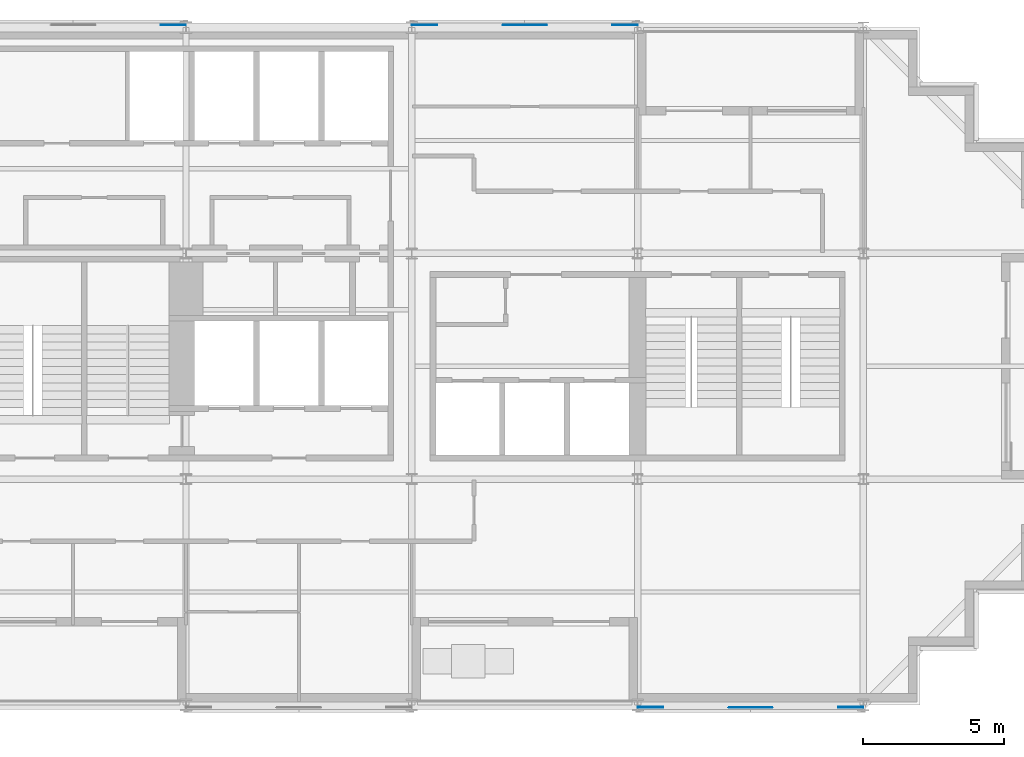
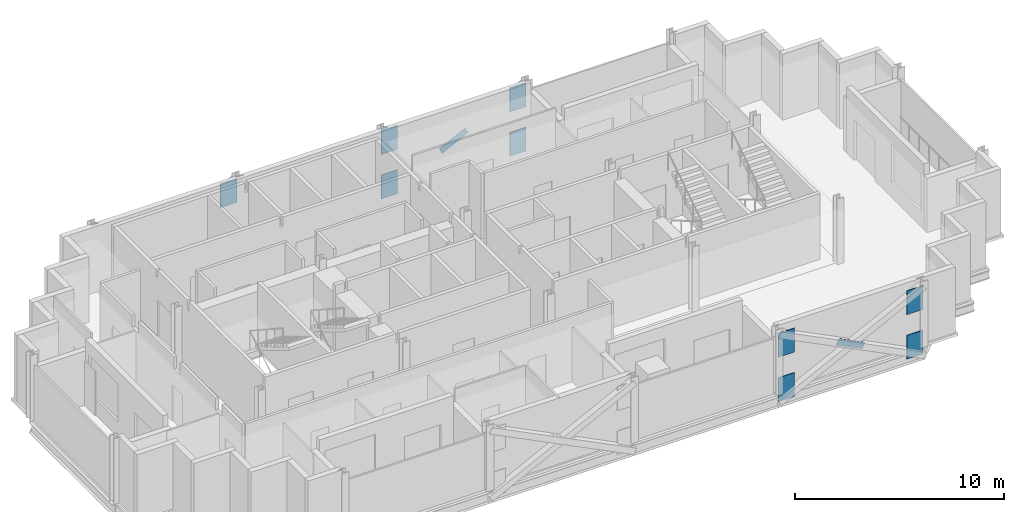
# One storey, part 8 of 10: 11 discrete accessories.
"""IFC4 building model written with IfcOpenShell, lengths in metres."""

from ifc_helpers import new_model, si_unit, direction, frame, origin, origin_2d, place, context, subcontext, project, spatial, rectangle, extrude, material, material_profile, profile_set, type_object, element, save


model = new_model("IFC4")

# Units and contexts
model_context = context("Model", 3, precision=1e-05, world=origin(), true_north=direction((0.0, 1.0)))
body_context = subcontext(model_context, "Body", "Model", "MODEL_VIEW")
ifc_project = project(units=[si_unit("LENGTHUNIT", "METRE"), si_unit("AREAUNIT", "SQUARE_METRE"), si_unit("VOLUMEUNIT", "CUBIC_METRE"), si_unit("PLANEANGLEUNIT", "RADIAN"), si_unit("MASSUNIT", "GRAM", prefix="KILO")], contexts=[model_context])

# Site, building, storey
site_placement = place(None, origin())
site = spatial("IfcSite", under=ifc_project, at=site_placement, CompositionType="ELEMENT")
building_placement = place(site_placement, origin())
building = spatial("IfcBuilding", under=site, at=building_placement, Name="Immortelle Media Tower", CompositionType="ELEMENT")
storey_placement = place(building_placement, frame((0.0, 0.0, 213.0)))
storey = spatial("IfcBuildingStorey", under=building, at=storey_placement, Name="L45", CompositionType="ELEMENT", Elevation=213.0)

# Discrete accessories
ifc_material = material(Name="Steel ASTM A572 Gr 50", Category="steel")
ifc_material_profile_1 = material_profile(ifc_material, rectangle(XDim=0.02392578125, YDim=0.35595703125, at=origin_2d()), Name="PL 24 x 356")
ifc_profile_set_1 = profile_set([ifc_material_profile_1], Name="Steel ASTM A572 Gr 50")
discrete_accessory_type_1 = type_object("IfcDiscreteAccessoryType", Name="Crossing plate XP-BR5 1600 x 356 x 24", PredefinedType="USERDEFINED", material=ifc_profile_set_1)
for number, where, z_axis, x_axis, name in (
    (1, (28.715576171875, 24.087890625, 1.90185546875), (-0.894427191, 0.0, -0.4472135955), (0.0, -1.0, 0.0), "Crossing plate XP-BR5 of Brace D/4-5 A and Brace D/4-5 B"),
    (2, (35.284423828125, -0.087890625, 1.90185546875), (0.894427191, 0.0, -0.4472135955), (0.0, 1.0, 0.0), "Crossing plate XP-BR5 of Brace A/5-6 A and Brace A/5-6 B"),
):
    element("IfcDiscreteAccessory", number, at=place(storey_placement, frame(where, z_axis=z_axis, x_axis=x_axis)), inside=storey, type_object=discrete_accessory_type_1, Name=name, ObjectType="CROSSING PLATE", PredefinedType="USERDEFINED", context=body_context, shape_type="SweptSolid", body=[
        extrude(rectangle(XDim=0.02392578125, YDim=0.35595703125, at=origin_2d()), origin(), (0.0, 0.0, 1.0), 1.60009765625),
    ])
ifc_material_profile_2 = material_profile(ifc_material, rectangle(XDim=0.031982421875, YDim=1.39990234375, at=origin_2d()), Name="PL 32 x 1400")
ifc_profile_set_2 = profile_set([ifc_material_profile_2], Name="Steel ASTM A572 Gr 50")
discrete_accessory_type_2 = type_object("IfcDiscreteAccessoryType", Name="Gusset plate GP1 900 x 1400 x 32", PredefinedType="USERDEFINED", material=ifc_profile_set_2)
for number, where, z_axis, x_axis, name in (
    (3, (32.0, -0.087890625, 0.243896484375), (1.0, 0.0, 0.0), (0.0, 1.0, 0.0), "Gusset plate GP1, lower end of Brace A/5-6 A"),
    (4, (40.0, -0.087890625, 2.843994140625), (-1.0, 0.0, 0.0), (0.0, -1.0, 0.0), "Gusset plate GP1, upper end of Brace A/5-6 A"),
    (5, (40.0, -0.087890625, 0.243896484375), (-1.0, 0.0, 0.0), (0.0, -1.0, 0.0), "Gusset plate GP1, lower end of Brace A/5-6 B"),
    (6, (32.0, -0.087890625, 2.843994140625), (1.0, 0.0, 0.0), (0.0, 1.0, 0.0), "Gusset plate GP1, upper end of Brace A/5-6 B"),
    (7, (32.0, 24.087890625, 0.243896484375), (-1.0, 0.0, 0.0), (0.0, -1.0, 0.0), "Gusset plate GP1, lower end of Brace D/4-5 A"),
    (8, (24.0, 24.087890625, 2.843994140625), (1.0, 0.0, 0.0), (0.0, 1.0, 0.0), "Gusset plate GP1, upper end of Brace D/4-5 A"),
    (9, (24.0, 24.087890625, 0.243896484375), (1.0, 0.0, 0.0), (0.0, 1.0, 0.0), "Gusset plate GP1, lower end of Brace D/4-5 B"),
    (10, (32.0, 24.087890625, 2.843994140625), (-1.0, 0.0, 0.0), (0.0, -1.0, 0.0), "Gusset plate GP1, upper end of Brace D/4-5 B"),
    (11, (16.0, 24.087890625, 2.843994140625), (-1.0, 0.0, 0.0), (0.0, -1.0, 0.0), "Gusset plate GP1, upper end of Brace D/2-3 B"),
):
    element("IfcDiscreteAccessory", number, at=place(storey_placement, frame(where, z_axis=z_axis, x_axis=x_axis)), inside=storey, type_object=discrete_accessory_type_2, Name=name, ObjectType="GUSSET PLATE", PredefinedType="USERDEFINED", context=body_context, shape_type="SweptSolid", body=[
        extrude(rectangle(XDim=0.031982421875, YDim=1.39990234375, at=origin_2d()), origin(), (0.0, 0.0, 1.0), 0.89990234375),
    ])

save(model, "model.ifc")
